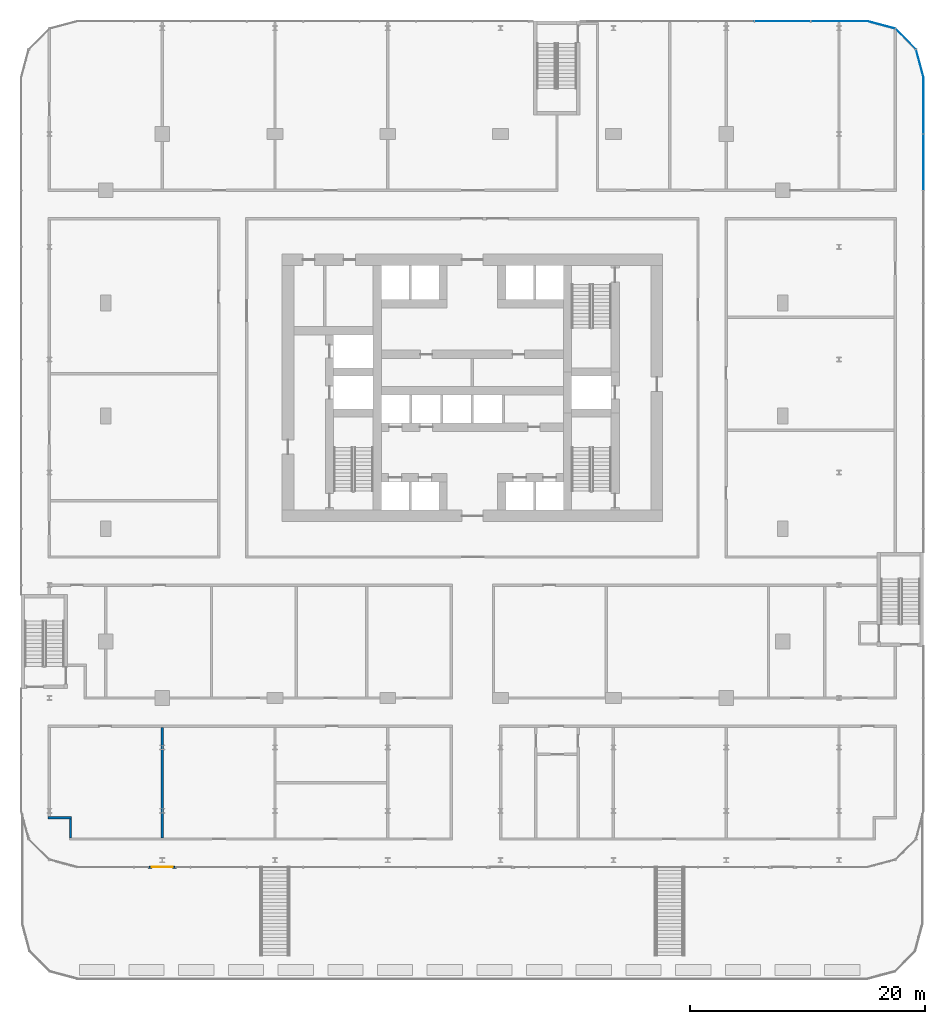
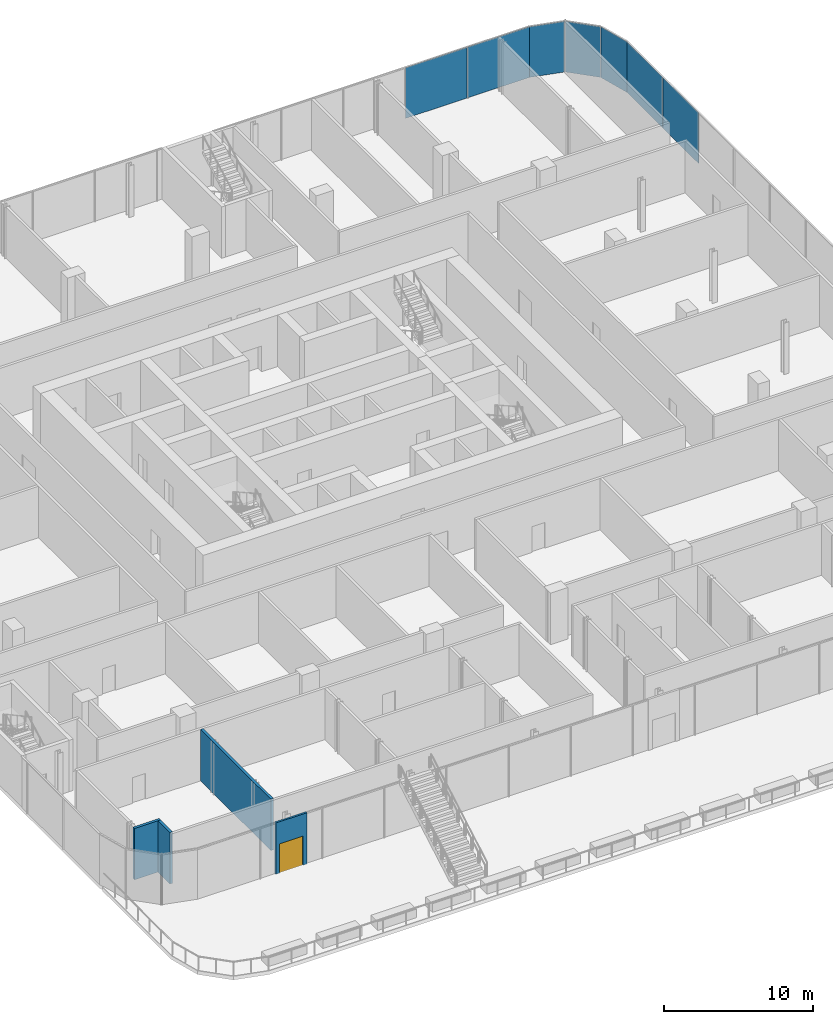
# One storey, part 26 of 38: 7 plates, 4 walls, 1 door, 1 opening, 3 elements without a shape of their own.
"""IFC4 building model written with IfcOpenShell, lengths in metres."""

from ifc_helpers import new_model, si_unit, direction, frame, frame_2d, origin, origin_2d, place, context, subcontext, project, spatial, rectangle, extrude, material, layer, layer_set, type_object, element, fill, aggregate, save


model = new_model("IFC4")

# Units and contexts
model_context = context("Model", 3, precision=1e-05, world=origin(), true_north=direction((0.0, 1.0)))
body_context = subcontext(model_context, "Body", "Model", "MODEL_VIEW")
ifc_project = project(units=[si_unit("LENGTHUNIT", "METRE"), si_unit("AREAUNIT", "SQUARE_METRE"), si_unit("VOLUMEUNIT", "CUBIC_METRE"), si_unit("PLANEANGLEUNIT", "RADIAN"), si_unit("MASSUNIT", "GRAM", prefix="KILO")], contexts=[model_context])

# Site, building, storey
site_placement = place(None, origin())
site = spatial("IfcSite", under=ifc_project, at=site_placement, CompositionType="ELEMENT")
building_placement = place(site_placement, origin())
building = spatial("IfcBuilding", under=site, at=building_placement, Name="Madar Terraces", CompositionType="ELEMENT")
storey_placement = place(building_placement, frame((0.0, 0.0, 15.0)))
storey = spatial("IfcBuildingStorey", under=building, at=storey_placement, Name="L03", CompositionType="ELEMENT", Elevation=15.0)

# Curtain wall, plates
ifc_material_1 = material(Name="Glass, clear low-iron, with black aluminium frame", Category="aluminium")
ifc_layer_1 = layer(ifc_material_1, 0.199951171875)
ifc_layer_set_1 = layer_set([ifc_layer_1], Name="Facade curtain wall, shopfront glazing")
curtain_wall_type = type_object("IfcCurtainWallType", Name="Facade curtain wall, shopfront glazing", PredefinedType="NOTDEFINED", material=ifc_layer_set_1)
curtain_wall_1_placement = place(storey_placement, origin())
curtain_wall_1 = element("IfcCurtainWall", 1, at=curtain_wall_1_placement, inside=storey, type_object=curtain_wall_type, Name="Outer skin curtain wall east bay 1", PredefinedType="NOTDEFINED")
ifc_material_2 = material(Name="Glass, ceramic frit dark grey", Category="glass")
ifc_layer_2 = layer(ifc_material_2, 0.028076171875)
ifc_layer_set_2 = layer_set([ifc_layer_2], Name="Facade glass panel 28")
plate_type = type_object("IfcPlateType", Name="Facade glass panel 28", PredefinedType="CURTAIN_PANEL", material=ifc_layer_set_2)
plate_1_placement = place(storey_placement, frame((69.60009765625, 45.60009765625, 0.0), z_axis=(0.0, 0.0, 1.0), x_axis=(0.0, 1.0, 0.0)))
plate_1 = element("IfcPlate", 2, at=plate_1_placement, type_object=plate_type, Name="Panel 11", PredefinedType="CURTAIN_PANEL", context=body_context, shape_type="SweptSolid", body=[
    extrude(rectangle(XDim=4.739990234375, YDim=0.028076171875, at=origin_2d()), origin(), (0.0, 0.0, 1.0), 4.139892578125),
])
plate_2_placement = place(storey_placement, frame((69.60009765625, 50.4150390625, 0.0), z_axis=(0.0, 0.0, 1.0), x_axis=(0.0, 1.0, 0.0)))
plate_2 = element("IfcPlate", 3, at=plate_2_placement, type_object=plate_type, Name="Panel 12", PredefinedType="CURTAIN_PANEL", context=body_context, shape_type="SweptSolid", body=[
    extrude(rectangle(XDim=4.77001953125, YDim=0.028076171875, at=origin_2d()), origin(), (0.0, 0.0, 1.0), 4.139892578125),
])
aggregate(curtain_wall_1, [plate_1, plate_2])

curtain_wall_2_placement = place(storey_placement, origin())
curtain_wall_2 = element("IfcCurtainWall", 4, at=curtain_wall_2_placement, inside=storey, type_object=curtain_wall_type, Name="Outer skin curtain wall north bay 1", PredefinedType="NOTDEFINED")
plate_3_placement = place(storey_placement, frame((62.4150390625, 57.60009765625, 0.0), z_axis=(0.0, 0.0, 1.0), x_axis=(-1.0, 0.0, 0.0)))
plate_3 = element("IfcPlate", 5, at=plate_3_placement, type_object=plate_type, Name="Panel 1", PredefinedType="CURTAIN_PANEL", context=body_context, shape_type="SweptSolid", body=[
    extrude(rectangle(XDim=4.77001953125, YDim=0.028076171875, at=origin_2d()), origin(), (0.0, 0.0, 1.0), 4.139892578125),
])
plate_4_placement = place(storey_placement, frame((57.60009765625, 57.60009765625, 0.0), z_axis=(0.0, 0.0, 1.0), x_axis=(-1.0, 0.0, 0.0)))
plate_4 = element("IfcPlate", 6, at=plate_4_placement, type_object=plate_type, Name="Panel 2", PredefinedType="CURTAIN_PANEL", context=body_context, shape_type="SweptSolid", body=[
    extrude(rectangle(XDim=4.739990234375, YDim=0.028076171875, at=origin_2d()), origin(), (0.0, 0.0, 1.0), 4.139892578125),
])
aggregate(curtain_wall_2, [plate_3, plate_4])

curtain_wall_3_placement = place(storey_placement, origin())
curtain_wall_3 = element("IfcCurtainWall", 7, at=curtain_wall_3_placement, inside=storey, type_object=curtain_wall_type, Name="Outer skin curtain wall north-east corner", PredefinedType="NOTDEFINED")
plate_5_placement = place(storey_placement, frame((69.2822265625, 53.985595703125, 0.0), z_axis=(0.0, 0.0, 1.0), x_axis=(-0.258819021888, 0.965925832509, 0.0)))
plate_5 = element("IfcPlate", 8, at=plate_5_placement, type_object=plate_type, Name="Panel 1", PredefinedType="CURTAIN_PANEL", context=body_context, shape_type="SweptSolid", body=[
    extrude(rectangle(XDim=2.45458984375, YDim=0.028076171875, at=origin_2d()), origin(), (0.0, 0.0, 1.0), 4.139892578125),
])
plate_6_placement = place(storey_placement, frame((68.078369140625, 56.078369140625, 0.0), z_axis=(0.0, 0.0, 1.0), x_axis=(-0.707106781187, 0.707106781187, 0.0)))
plate_6 = element("IfcPlate", 9, at=plate_6_placement, type_object=plate_type, Name="Panel 2", PredefinedType="CURTAIN_PANEL", context=body_context, shape_type="SweptSolid", body=[
    extrude(rectangle(XDim=2.424560546875, YDim=0.028076171875, at=origin_2d()), origin(), (0.0, 0.0, 1.0), 4.139892578125),
])
plate_7_placement = place(storey_placement, frame((65.985595703125, 57.2822265625, 0.0), z_axis=(0.0, 0.0, 1.0), x_axis=(-0.965925832509, 0.258819021888, 0.0)))
plate_7 = element("IfcPlate", 10, at=plate_7_placement, type_object=plate_type, Name="Panel 3", PredefinedType="CURTAIN_PANEL", context=body_context, shape_type="SweptSolid", body=[
    extrude(rectangle(XDim=2.45458984375, YDim=0.028076171875, at=origin_2d()), origin(), (0.0, 0.0, 1.0), 4.139892578125),
])
aggregate(curtain_wall_3, [plate_5, plate_6, plate_7])

# Wall, opening, door
ifc_material_3 = material(Name="Aluminium composite panel, black, over insulated backing", Category="aluminium")
ifc_layer_3 = layer(ifc_material_3, 0.14990234375)
ifc_layer_set_3 = layer_set([ifc_layer_3], Name="Facade bay panel 150")
wall_type_1 = type_object("IfcWallType", Name="Facade bay panel 150", PredefinedType="SOLIDWALL", material=ifc_layer_set_3)
wall_1_placement = place(storey_placement, frame((3.60009765625, -14.39990234375, 0.0), z_axis=(0.0, 0.0, 1.0), x_axis=(1.0, 0.0, 0.0)))
wall_1 = element("IfcWall", 11, at=wall_1_placement, inside=storey, type_object=wall_type_1, Name="Facade bay panel", PredefinedType="SOLIDWALL", context=body_context, shape_type="SweptSolid", body=[
    extrude(rectangle(XDim=2.39990234375, YDim=0.14990234375, at=frame_2d((1.199951171875, 0.0))), origin(), (0.0, 0.0, 1.0), 4.199951171875),
])
opening_placement = place(wall_1_placement, frame((0.300048828125, 0.0, 0.0)))
opening = element("IfcOpeningElement", 12, at=opening_placement, cuts=wall_1, Name="Opening ED1", PredefinedType="OPENING", context=body_context, shape_type="SweptSolid", body=[
    extrude(rectangle(XDim=1.800048828125, YDim=2.39990234375, at=frame_2d((0.89990234375, 1.199951171875))), frame((0.0, 0.0849609375, 0.0), z_axis=(0.0, -1.0, 0.0), x_axis=(1.0, 0.0, 0.0)), (0.0, 0.0, 1.0), 0.169921875),
])
ifc_material_4 = material(Name="Glass, clear, with black aluminium frame", Category="aluminium")
door_type = type_object("IfcDoorType", Name="Balcony and terrace sliding door 1800 x 2400", OperationType="SLIDING_TO_LEFT", PredefinedType="DOOR", material=ifc_material_4)
door_placement = place(opening_placement, origin())
door = element("IfcDoor", 13, at=door_placement, inside=storey, type_object=door_type, Name="Balcony door", OperationType="SLIDING_TO_LEFT", OverallHeight=2.39990234375, OverallWidth=1.800048828125, PredefinedType="DOOR", context=body_context, shape_type="SweptSolid", body=[
    extrude(rectangle(XDim=1.800048828125, YDim=2.39990234375, at=frame_2d((0.89990234375, 1.199951171875))), frame((0.0, 0.02490234375, 0.0), z_axis=(0.0, -1.0, 0.0), x_axis=(1.0, 0.0, 0.0)), (0.0, 0.0, 1.0), 0.050048828125),
])
fill(opening, door)

# Walls
ifc_material_5 = material(Name="Gypsum board partition, fire-rated")
ifc_layer_4 = layer(ifc_material_5, 0.199951171875)
ifc_layer_set_4 = layer_set([ifc_layer_4], Name="Partition 200 EI 60")
wall_type_2 = type_object("IfcWallType", Name="Partition 200 EI 60", PredefinedType="PARTITIONING", material=ifc_layer_set_4)
wall_2_placement = place(storey_placement, frame((-4.89990234375, -10.199951171875, 0.0), z_axis=(0.0, 0.0, 1.0), x_axis=(1.0, 0.0, 0.0)))
element("IfcWall", 14, at=wall_2_placement, inside=storey, type_object=wall_type_2, Name="Wall NURSERY PLAY ROOM / PODIUM CORRIDOR", PredefinedType="PARTITIONING", context=body_context, shape_type="SweptSolid", body=[
    extrude(rectangle(XDim=2.0, YDim=0.199951171875, at=frame_2d((1.0, 0.0))), origin(), (0.0, 0.0, 1.0), 4.199951171875),
])
wall_3_placement = place(storey_placement, frame((-3.0, -11.89990234375, 0.0), z_axis=(0.0, 0.0, 1.0), x_axis=(0.0, 1.0, 0.0)))
element("IfcWall", 15, at=wall_3_placement, inside=storey, type_object=wall_type_2, Name="Wall NURSERY PLAY ROOM / PODIUM CORRIDOR", PredefinedType="PARTITIONING", context=body_context, shape_type="SweptSolid", body=[
    extrude(rectangle(XDim=1.599853515625, YDim=0.199951171875, at=frame_2d((0.7998046875, 0.0))), origin(), (0.0, 0.0, 1.0), 4.199951171875),
])
wall_4_placement = place(storey_placement, frame((4.800048828125, -11.89990234375, 0.0), z_axis=(0.0, 0.0, 1.0), x_axis=(0.0, 1.0, 0.0)))
element("IfcWall", 16, at=wall_4_placement, inside=storey, type_object=wall_type_2, Name="Wall NURSERY PLAY ROOM / NURSERY PLAY ROOM", PredefinedType="PARTITIONING", context=body_context, shape_type="SweptSolid", body=[
    extrude(rectangle(XDim=9.39990234375, YDim=0.199951171875, at=frame_2d((4.699951171875, 0.0))), origin(), (0.0, 0.0, 1.0), 4.199951171875),
])

save(model, "model.ifc")
